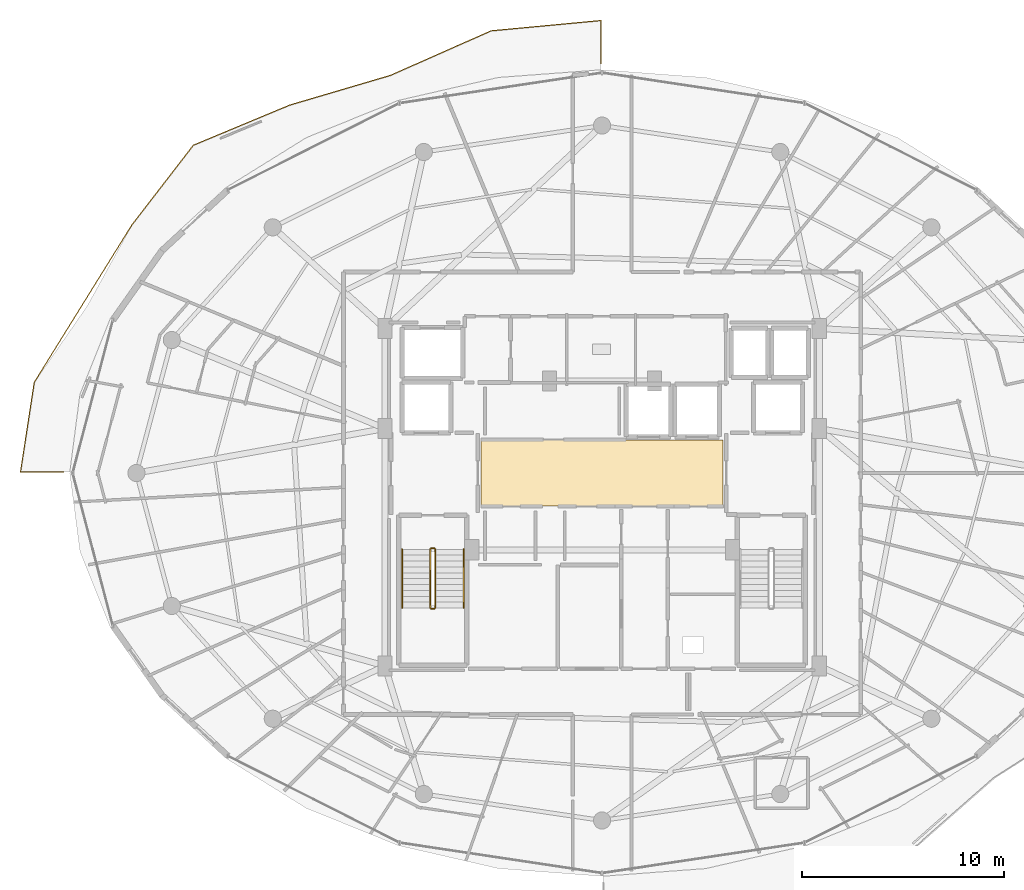
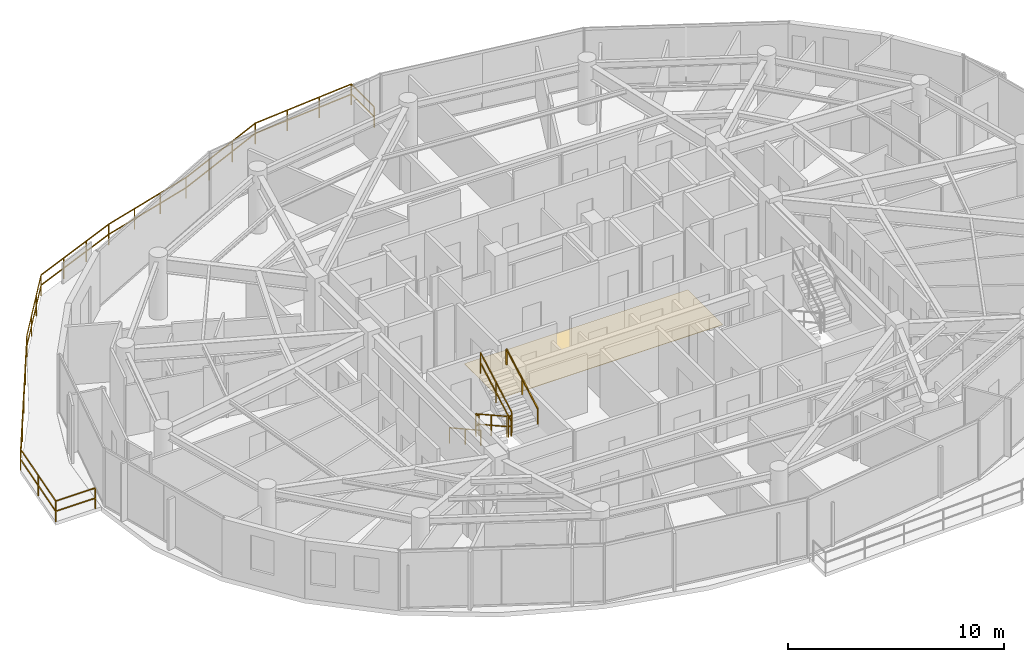
# One storey, part 26 of 29: 8 railings, 1 covering.
"""IFC4 building model written with IfcOpenShell, lengths in metres."""

from ifc_helpers import new_model, si_unit, direction, frame, origin, origin_2d, place, context, subcontext, project, spatial, polyline, rectangle, outline, extrude, material, layer, layer_set, type_object, element, save


model = new_model("IFC4")

# Units and contexts
model_context = context("Model", 3, precision=1e-05, world=origin(), true_north=direction((0.0, 1.0)))
body_context = subcontext(model_context, "Body", "Model", "MODEL_VIEW")
ifc_project = project(units=[si_unit("LENGTHUNIT", "METRE"), si_unit("AREAUNIT", "SQUARE_METRE"), si_unit("VOLUMEUNIT", "CUBIC_METRE"), si_unit("PLANEANGLEUNIT", "RADIAN"), si_unit("MASSUNIT", "GRAM", prefix="KILO")], contexts=[model_context])

# Site, building, storey
site_placement = place(None, origin())
site = spatial("IfcSite", under=ifc_project, at=site_placement, CompositionType="ELEMENT")
building_placement = place(site_placement, origin())
building = spatial("IfcBuilding", under=site, at=building_placement, Name="Vorneva Point Tower", CompositionType="ELEMENT")
storey_placement = place(building_placement, frame((0.0, 0.0, 255.550048828125)))
storey = spatial("IfcBuildingStorey", under=building, at=storey_placement, Name="L69", CompositionType="ELEMENT", Elevation=255.550048828125)

# Covering
ifc_material_1 = material(Name="Acoustic wool hospitality carpet", Category="textile")
ifc_layer = layer(ifc_material_1, 0.01806640625)
ifc_layer_set = layer_set([ifc_layer], Name="Acoustic wool hospitality carpet")
covering_type = type_object("IfcCoveringType", Name="COV-FLR-CRP", PredefinedType="FLOORING", material=ifc_layer_set)
covering_placement = place(storey_placement, frame((0.0, 0.0, -0.005126953125)))
element("IfcCovering", 1, at=covering_placement, inside=storey, type_object=covering_type, Name="L69 Lift Lobby Floor Finish", PredefinedType="FLOORING", context=body_context, shape_type="SweptSolid", body=[
    extrude(outline(polyline([(32.02001953125, 24.3701171875), (43.97998046875, 24.3701171875), (43.97998046875, 27.6298828125), (32.02001953125, 27.6298828125), (32.02001953125, 24.3701171875)])), origin(), (0.0, 0.0, 1.0), 0.023193359375),
])

# Railings
ifc_material_2 = material(Name="Pale anodised aluminium", Category="aluminium")
railing_type_1 = type_object("IfcRailingType", Name="RL-BAL-1200", PredefinedType="BALUSTRADE", material=ifc_material_2)
railing_1_placement = place(storey_placement, frame((9.212646484375, 26.050048828125, 0.0)))
element("IfcRailing", 2, at=railing_1_placement, inside=storey, type_object=railing_type_1, Name="L69 Wave Balcony Balustrade NW.1", PredefinedType="BALUSTRADE", context=body_context, shape_type="SweptSolid", body=[
    extrude(rectangle(XDim=0.048095703125, YDim=0.048095703125, at=origin_2d()), frame((0.0, 0.0, 1.17578125), z_axis=(1.0, 0.0, 0.0), x_axis=(0.0, 1.0, 0.0)), (0.0, 0.0, 1.0), 2.12109375),
    extrude(rectangle(XDim=0.048095703125, YDim=0.048095703125, at=origin_2d()), frame((0.0, 0.0, 0.60009765625), z_axis=(1.0, 0.0, 0.0), x_axis=(0.0, 1.0, 0.0)), (0.0, 0.0, 1.0), 2.12109375),
    extrude(rectangle(XDim=0.0419921875, YDim=0.0419921875, at=origin_2d()), origin(), (0.0, 0.0, 1.0), 1.15185546875),
    extrude(rectangle(XDim=0.0419921875, YDim=0.0419921875, at=origin_2d()), frame((2.12109375, 0.0, 0.0)), (0.0, 0.0, 1.0), 1.15185546875),
])
railing_2_placement = place(storey_placement, frame((37.949951171875, 46.277099609375, 0.0)))
element("IfcRailing", 3, at=railing_2_placement, inside=storey, type_object=railing_type_1, Name="L69 Wave Balcony Balustrade NW.2", PredefinedType="BALUSTRADE", context=body_context, shape_type="SweptSolid", body=[
    extrude(rectangle(XDim=0.048095703125, YDim=0.048095703125, at=origin_2d()), frame((0.0, 0.0, 1.17578125), z_axis=(0.0, 1.0, 0.0), x_axis=(-1.0, 0.0, 0.0)), (0.0, 0.0, 1.0), 2.123291015625),
    extrude(rectangle(XDim=0.048095703125, YDim=0.048095703125, at=origin_2d()), frame((0.0, 0.0, 0.60009765625), z_axis=(0.0, 1.0, 0.0), x_axis=(-1.0, 0.0, 0.0)), (0.0, 0.0, 1.0), 2.123291015625),
    extrude(rectangle(XDim=0.048095703125, YDim=0.048095703125, at=origin_2d()), frame((0.0, 2.123291015625, 1.17578125), z_axis=(-0.995615776672, -0.09353729332, 0.0), x_axis=(0.09353729332, -0.995615776672, 0.0)), (0.0, 0.0, 1.0), 5.462890625),
    extrude(rectangle(XDim=0.048095703125, YDim=0.048095703125, at=origin_2d()), frame((0.0, 2.123291015625, 0.60009765625), z_axis=(-0.995615776672, -0.09353729332, 0.0), x_axis=(0.09353729332, -0.995615776672, 0.0)), (0.0, 0.0, 1.0), 5.462890625),
    extrude(rectangle(XDim=0.048095703125, YDim=0.048095703125, at=origin_2d()), frame((-5.43896484375, 1.6123046875, 1.17578125), z_axis=(-0.914502833998, -0.40457949356, 0.0), x_axis=(0.40457949356, -0.914502833998, 0.0)), (0.0, 0.0, 1.0), 5.450927734375),
    extrude(rectangle(XDim=0.048095703125, YDim=0.048095703125, at=origin_2d()), frame((-5.43896484375, 1.6123046875, 0.60009765625), z_axis=(-0.914502833998, -0.40457949356, 0.0), x_axis=(0.40457949356, -0.914502833998, 0.0)), (0.0, 0.0, 1.0), 5.450927734375),
    extrude(rectangle(XDim=0.048095703125, YDim=0.048095703125, at=origin_2d()), frame((-10.423828125, -0.593017578125, 1.17578125), z_axis=(-0.959158019057, -0.282870808814, 0.0), x_axis=(0.282870808814, -0.959158019057, 0.0)), (0.0, 0.0, 1.0), 5.196533203125),
    extrude(rectangle(XDim=0.048095703125, YDim=0.048095703125, at=origin_2d()), frame((-10.423828125, -0.593017578125, 0.60009765625), z_axis=(-0.959158019057, -0.282870808814, 0.0), x_axis=(0.282870808814, -0.959158019057, 0.0)), (0.0, 0.0, 1.0), 5.196533203125),
    extrude(rectangle(XDim=0.048095703125, YDim=0.048095703125, at=origin_2d()), frame((-15.408203125, -2.06298828125, 1.17578125), z_axis=(-0.923176059665, -0.384377370381, 0.0), x_axis=(0.384377370381, -0.923176059665, 0.0)), (0.0, 0.0, 1.0), 5.17138671875),
    extrude(rectangle(XDim=0.048095703125, YDim=0.048095703125, at=origin_2d()), frame((-15.408203125, -2.06298828125, 0.60009765625), z_axis=(-0.923176059665, -0.384377370381, 0.0), x_axis=(0.384377370381, -0.923176059665, 0.0)), (0.0, 0.0, 1.0), 5.17138671875),
    extrude(rectangle(XDim=0.048095703125, YDim=0.048095703125, at=origin_2d()), frame((-20.182373046875, -4.05078125, 1.17578125), z_axis=(-0.610723422799, -0.791843987692, 0.0), x_axis=(0.791843987692, -0.610723422799, 0.0)), (0.0, 0.0, 1.0), 4.97265625),
    extrude(rectangle(XDim=0.048095703125, YDim=0.048095703125, at=origin_2d()), frame((-20.182373046875, -4.05078125, 0.60009765625), z_axis=(-0.610723422799, -0.791843987692, 0.0), x_axis=(0.791843987692, -0.610723422799, 0.0)), (0.0, 0.0, 1.0), 4.97265625),
    extrude(rectangle(XDim=0.048095703125, YDim=0.048095703125, at=origin_2d()), frame((-23.21923828125, -7.98828125, 1.17578125), z_axis=(-0.526954270992, -0.849893638218, 0.0), x_axis=(0.849893638218, -0.526954270992, 0.0)), (0.0, 0.0, 1.0), 9.178466796875),
    extrude(rectangle(XDim=0.048095703125, YDim=0.048095703125, at=origin_2d()), frame((-23.21923828125, -7.98828125, 0.60009765625), z_axis=(-0.526954270992, -0.849893638218, 0.0), x_axis=(0.849893638218, -0.526954270992, 0.0)), (0.0, 0.0, 1.0), 9.178466796875),
    extrude(rectangle(XDim=0.048095703125, YDim=0.048095703125, at=origin_2d()), frame((-28.055908203125, -15.7890625, 1.17578125), z_axis=(-0.151758903978, -0.988417540852, 0.0), x_axis=(0.988417540852, -0.151758903978, 0.0)), (0.0, 0.0, 1.0), 4.489990234375),
    extrude(rectangle(XDim=0.048095703125, YDim=0.048095703125, at=origin_2d()), frame((-28.055908203125, -15.7890625, 0.60009765625), z_axis=(-0.151758903978, -0.988417540852, 0.0), x_axis=(0.988417540852, -0.151758903978, 0.0)), (0.0, 0.0, 1.0), 4.489990234375),
    extrude(rectangle(XDim=0.0419921875, YDim=0.0419921875, at=origin_2d()), origin(), (0.0, 0.0, 1.0), 1.15185546875),
    extrude(rectangle(XDim=0.0419921875, YDim=0.0419921875, at=origin_2d()), frame((0.0, 2.123291015625, 0.0)), (0.0, 0.0, 1.0), 1.15185546875),
    extrude(rectangle(XDim=0.0419921875, YDim=0.0419921875, at=origin_2d()), frame((-1.81298828125, 1.952880859375, 0.0)), (0.0, 0.0, 1.0), 1.15185546875),
    extrude(rectangle(XDim=0.0419921875, YDim=0.0419921875, at=origin_2d()), frame((-3.6259765625, 1.78271484375, 0.0)), (0.0, 0.0, 1.0), 1.15185546875),
    extrude(rectangle(XDim=0.0419921875, YDim=0.0419921875, at=origin_2d()), frame((-5.43896484375, 1.6123046875, 0.0)), (0.0, 0.0, 1.0), 1.15185546875),
    extrude(rectangle(XDim=0.0419921875, YDim=0.0419921875, at=origin_2d()), frame((-7.1005859375, 0.877197265625, 0.0)), (0.0, 0.0, 1.0), 1.15185546875),
    extrude(rectangle(XDim=0.0419921875, YDim=0.0419921875, at=origin_2d()), frame((-8.76220703125, 0.14208984375, 0.0)), (0.0, 0.0, 1.0), 1.15185546875),
    extrude(rectangle(XDim=0.0419921875, YDim=0.0419921875, at=origin_2d()), frame((-10.423828125, -0.593017578125, 0.0)), (0.0, 0.0, 1.0), 1.15185546875),
    extrude(rectangle(XDim=0.0419921875, YDim=0.0419921875, at=origin_2d()), frame((-12.085205078125, -1.0830078125, 0.0)), (0.0, 0.0, 1.0), 1.15185546875),
    extrude(rectangle(XDim=0.0419921875, YDim=0.0419921875, at=origin_2d()), frame((-13.746826171875, -1.572998046875, 0.0)), (0.0, 0.0, 1.0), 1.15185546875),
    extrude(rectangle(XDim=0.0419921875, YDim=0.0419921875, at=origin_2d()), frame((-15.408203125, -2.06298828125, 0.0)), (0.0, 0.0, 1.0), 1.15185546875),
    extrude(rectangle(XDim=0.0419921875, YDim=0.0419921875, at=origin_2d()), frame((-16.99951171875, -2.7255859375, 0.0)), (0.0, 0.0, 1.0), 1.15185546875),
    extrude(rectangle(XDim=0.0419921875, YDim=0.0419921875, at=origin_2d()), frame((-18.591064453125, -3.38818359375, 0.0)), (0.0, 0.0, 1.0), 1.15185546875),
    extrude(rectangle(XDim=0.0419921875, YDim=0.0419921875, at=origin_2d()), frame((-20.182373046875, -4.05078125, 0.0)), (0.0, 0.0, 1.0), 1.15185546875),
    extrude(rectangle(XDim=0.0419921875, YDim=0.0419921875, at=origin_2d()), frame((-21.194580078125, -5.36328125, 0.0)), (0.0, 0.0, 1.0), 1.15185546875),
    extrude(rectangle(XDim=0.0419921875, YDim=0.0419921875, at=origin_2d()), frame((-22.20703125, -6.67578125, 0.0)), (0.0, 0.0, 1.0), 1.15185546875),
    extrude(rectangle(XDim=0.0419921875, YDim=0.0419921875, at=origin_2d()), frame((-23.21923828125, -7.98828125, 0.0)), (0.0, 0.0, 1.0), 1.15185546875),
    extrude(rectangle(XDim=0.0419921875, YDim=0.0419921875, at=origin_2d()), frame((-24.428466796875, -9.9384765625, 0.0)), (0.0, 0.0, 1.0), 1.15185546875),
    extrude(rectangle(XDim=0.0419921875, YDim=0.0419921875, at=origin_2d()), frame((-25.6376953125, -11.888671875, 0.0)), (0.0, 0.0, 1.0), 1.15185546875),
    extrude(rectangle(XDim=0.0419921875, YDim=0.0419921875, at=origin_2d()), frame((-26.8466796875, -13.8388671875, 0.0)), (0.0, 0.0, 1.0), 1.15185546875),
    extrude(rectangle(XDim=0.0419921875, YDim=0.0419921875, at=origin_2d()), frame((-28.055908203125, -15.7890625, 0.0)), (0.0, 0.0, 1.0), 1.15185546875),
    extrude(rectangle(XDim=0.0419921875, YDim=0.0419921875, at=origin_2d()), frame((-28.396484375, -18.008056640625, 0.0)), (0.0, 0.0, 1.0), 1.15185546875),
    extrude(rectangle(XDim=0.0419921875, YDim=0.0419921875, at=origin_2d()), frame((-28.7373046875, -20.22705078125, 0.0)), (0.0, 0.0, 1.0), 1.15185546875),
])
ifc_material_3 = material(Name="Brushed stainless steel S304", Category="steel")
railing_type_2 = type_object("IfcRailingType", Name="RL-HND-920", PredefinedType="HANDRAIL", material=ifc_material_3)
railing_3_placement = place(storey_placement, frame((28.10009765625, 22.219970703125, 0.161376953125)))
element("IfcRailing", 4, at=railing_3_placement, inside=storey, type_object=railing_type_2, Name="L69 ST1 stair handrail 1", PredefinedType="HANDRAIL", context=body_context, shape_type="SweptSolid", body=[
    extrude(rectangle(XDim=0.048095703125, YDim=0.048095703125, at=origin_2d()), frame((0.0, 0.0, 0.8759765625), z_axis=(0.0, -0.873841303929, 0.486211245805), x_axis=(1.0, 0.0, 0.0)), (0.0, 0.0, 1.0), 3.318603515625),
    extrude(rectangle(XDim=0.0419921875, YDim=0.0419921875, at=origin_2d()), origin(), (0.0, 0.0, 1.0), 0.851806640625),
    extrude(rectangle(XDim=0.0419921875, YDim=0.0419921875, at=origin_2d()), frame((0.0, -1.449951171875, 0.806640625)), (0.0, 0.0, 1.0), 0.851806640625),
    extrude(rectangle(XDim=0.0419921875, YDim=0.0419921875, at=origin_2d()), frame((0.0, -2.89990234375, 1.613525390625)), (0.0, 0.0, 1.0), 0.851806640625),
])
railing_4_placement = place(storey_placement, frame((31.14990234375, 19.320068359375, 1.936279296875)))
element("IfcRailing", 5, at=railing_4_placement, inside=storey, type_object=railing_type_2, Name="L69 ST1 stair handrail 2", PredefinedType="HANDRAIL", context=body_context, shape_type="SweptSolid", body=[
    extrude(rectangle(XDim=0.048095703125, YDim=0.048095703125, at=origin_2d()), frame((0.0, 0.0, 0.8759765625), z_axis=(0.0, 0.873810046276, 0.486267419253), x_axis=(-1.0, 0.0, 0.0)), (0.0, 0.0, 1.0), 3.318603515625),
    extrude(rectangle(XDim=0.0419921875, YDim=0.0419921875, at=origin_2d()), origin(), (0.0, 0.0, 1.0), 0.851806640625),
    extrude(rectangle(XDim=0.0419921875, YDim=0.0419921875, at=origin_2d()), frame((0.0, 1.449951171875, 0.806884765625)), (0.0, 0.0, 1.0), 0.851806640625),
    extrude(rectangle(XDim=0.0419921875, YDim=0.0419921875, at=origin_2d()), frame((0.0, 2.89990234375, 1.61376953125)), (0.0, 0.0, 1.0), 0.851806640625),
])
railing_type_3 = type_object("IfcRailingType", Name="RL-STG-1100", PredefinedType="GUARDRAIL", material=ifc_material_3)
railing_5_placement = place(storey_placement, frame((29.5, 22.219970703125, 0.161376953125)))
element("IfcRailing", 6, at=railing_5_placement, inside=storey, type_object=railing_type_3, Name="L69 ST1 stair guard 1", PredefinedType="GUARDRAIL", context=body_context, shape_type="SweptSolid", body=[
    extrude(rectangle(XDim=0.048095703125, YDim=0.048095703125, at=origin_2d()), frame((0.0, 0.0, 1.17578125), z_axis=(0.0, -0.873841303929, 0.486211245805), x_axis=(1.0, 0.0, 0.0)), (0.0, 0.0, 1.0), 3.318603515625),
    extrude(rectangle(XDim=0.048095703125, YDim=0.048095703125, at=origin_2d()), frame((0.0, 0.0, 0.60009765625), z_axis=(0.0, -0.873841303929, 0.486211245805), x_axis=(1.0, 0.0, 0.0)), (0.0, 0.0, 1.0), 3.318603515625),
    extrude(rectangle(XDim=0.0419921875, YDim=0.0419921875, at=origin_2d()), origin(), (0.0, 0.0, 1.0), 1.15185546875),
    extrude(rectangle(XDim=0.0419921875, YDim=0.0419921875, at=origin_2d()), frame((0.0, -1.449951171875, 0.806640625)), (0.0, 0.0, 1.0), 1.15185546875),
    extrude(rectangle(XDim=0.0419921875, YDim=0.0419921875, at=origin_2d()), frame((0.0, -2.89990234375, 1.613525390625)), (0.0, 0.0, 1.0), 1.15185546875),
])
railing_6_placement = place(storey_placement, frame((29.550048828125, 19.27001953125, 1.77490234375)))
element("IfcRailing", 7, at=railing_6_placement, inside=storey, type_object=railing_type_3, Name="L69 ST1 stair guard 2", PredefinedType="GUARDRAIL", context=body_context, shape_type="SweptSolid", body=[
    extrude(rectangle(XDim=0.048095703125, YDim=0.048095703125, at=origin_2d()), frame((0.0, 0.0, 1.17578125), z_axis=(1.0, 0.0, 0.0), x_axis=(0.0, 1.0, 0.0)), (0.0, 0.0, 1.0), 0.14990234375),
    extrude(rectangle(XDim=0.048095703125, YDim=0.048095703125, at=origin_2d()), frame((0.0, 0.0, 0.60009765625), z_axis=(1.0, 0.0, 0.0), x_axis=(0.0, 1.0, 0.0)), (0.0, 0.0, 1.0), 0.14990234375),
    extrude(rectangle(XDim=0.0419921875, YDim=0.0419921875, at=origin_2d()), origin(), (0.0, 0.0, 1.0), 1.15185546875),
    extrude(rectangle(XDim=0.0419921875, YDim=0.0419921875, at=origin_2d()), frame((0.14990234375, 0.0, 0.0)), (0.0, 0.0, 1.0), 1.15185546875),
])
railing_7_placement = place(storey_placement, frame((29.75, 19.320068359375, 1.936279296875)))
element("IfcRailing", 8, at=railing_7_placement, inside=storey, type_object=railing_type_3, Name="L69 ST1 stair guard 3", PredefinedType="GUARDRAIL", context=body_context, shape_type="SweptSolid", body=[
    extrude(rectangle(XDim=0.048095703125, YDim=0.048095703125, at=origin_2d()), frame((0.0, 0.0, 1.17578125), z_axis=(0.0, 0.873810046276, 0.486267419253), x_axis=(-1.0, 0.0, 0.0)), (0.0, 0.0, 1.0), 3.318603515625),
    extrude(rectangle(XDim=0.048095703125, YDim=0.048095703125, at=origin_2d()), frame((0.0, 0.0, 0.60009765625), z_axis=(0.0, 0.873810046276, 0.486267419253), x_axis=(-1.0, 0.0, 0.0)), (0.0, 0.0, 1.0), 3.318603515625),
    extrude(rectangle(XDim=0.0419921875, YDim=0.0419921875, at=origin_2d()), origin(), (0.0, 0.0, 1.0), 1.15185546875),
    extrude(rectangle(XDim=0.0419921875, YDim=0.0419921875, at=origin_2d()), frame((0.0, 1.449951171875, 0.806884765625)), (0.0, 0.0, 1.0), 1.15185546875),
    extrude(rectangle(XDim=0.0419921875, YDim=0.0419921875, at=origin_2d()), frame((0.0, 2.89990234375, 1.61376953125)), (0.0, 0.0, 1.0), 1.15185546875),
])
railing_8_placement = place(storey_placement, frame((29.550048828125, 22.27001953125, 0.0)))
element("IfcRailing", 9, at=railing_8_placement, inside=storey, type_object=railing_type_3, Name="L69 ST1 stair guard 4", PredefinedType="GUARDRAIL", context=body_context, shape_type="SweptSolid", body=[
    extrude(rectangle(XDim=0.048095703125, YDim=0.048095703125, at=origin_2d()), frame((0.0, 0.0, 1.17578125), z_axis=(1.0, 0.0, 0.0), x_axis=(0.0, 1.0, 0.0)), (0.0, 0.0, 1.0), 0.14990234375),
    extrude(rectangle(XDim=0.048095703125, YDim=0.048095703125, at=origin_2d()), frame((0.0, 0.0, 0.60009765625), z_axis=(1.0, 0.0, 0.0), x_axis=(0.0, 1.0, 0.0)), (0.0, 0.0, 1.0), 0.14990234375),
    extrude(rectangle(XDim=0.0419921875, YDim=0.0419921875, at=origin_2d()), origin(), (0.0, 0.0, 1.0), 1.15185546875),
    extrude(rectangle(XDim=0.0419921875, YDim=0.0419921875, at=origin_2d()), frame((0.14990234375, 0.0, 0.0)), (0.0, 0.0, 1.0), 1.15185546875),
])

save(model, "model.ifc")
